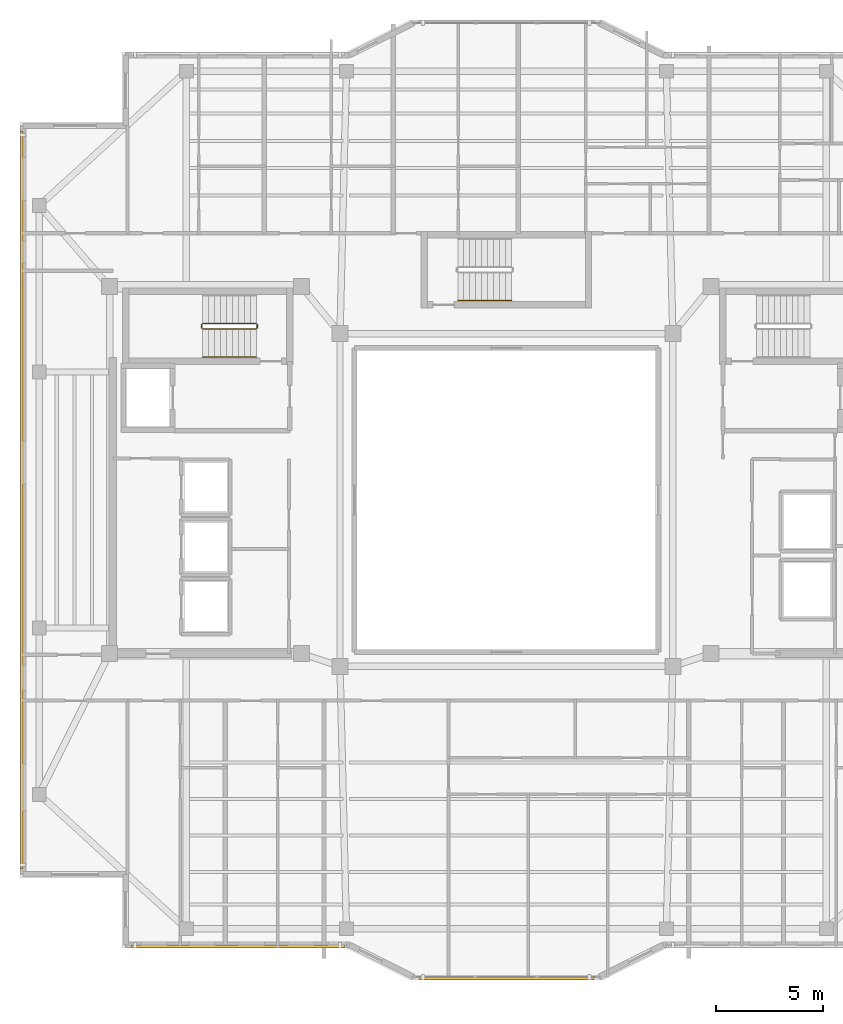
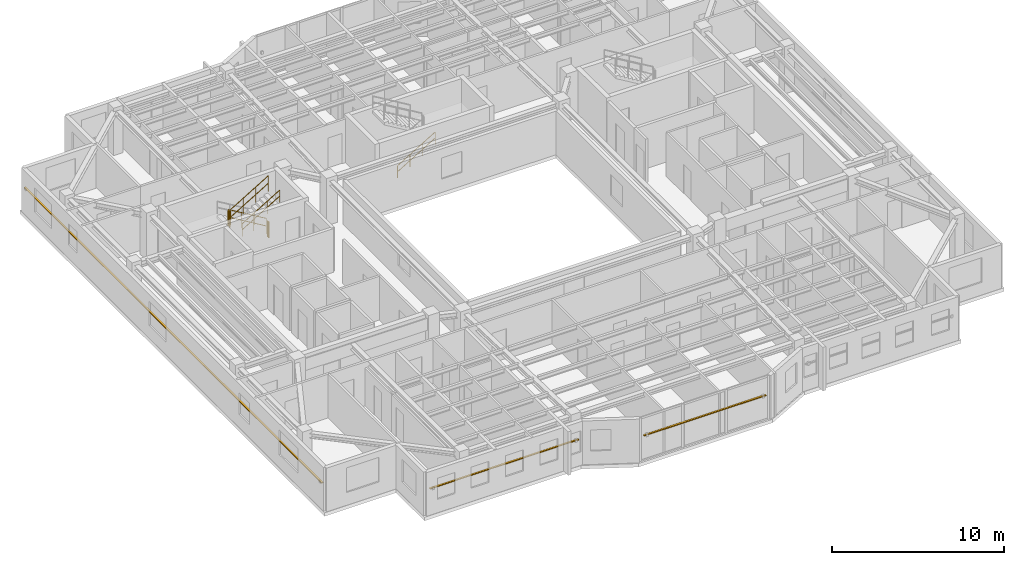
# One storey, part 12 of 14: 6 railings, 3 shading devices.
"""IFC4 building model written with IfcOpenShell, lengths in metres."""

import ifcopenshell
import ifcopenshell.guid

model = None  # the IFC model being written
_history = None  # IfcOwnerHistory: only IFC2X3 demands one
_inside = {}  # id of a spatial element -> (the spatial element, [elements in it])
_under = {}  # id of a project, library or spatial element -> (it, [spatial elements below it])
_declared = {}  # id of a project -> (the project, [libraries it declares])
_typed = {}  # id of a type object -> (the type object, [elements of that type])
_made_of = {}  # id of a material, layer set ... -> (it, [elements and type objects made of it])


def new_model(schema):
    """Start an empty IFC model of exactly this schema.

    Asked for "IFC4X3", IfcOpenShell would pick the latest addendum, in which some entities
    have other attributes; the version numbers below select the first issue.
    IFC2X3 requires an IfcOwnerHistory on every rooted entity: one is made here for all.
    """
    global model, _history
    if schema == "IFC4X3":
        model = ifcopenshell.file(schema_version=(4, 3, 0, 0))
    else:
        model = ifcopenshell.file(schema=schema)
    _inside.clear()
    _under.clear()
    _declared.clear()
    _typed.clear()
    _made_of.clear()
    _history = None
    if model.schema == "IFC2X3":
        org = make("IfcOrganization", Name="unknown")
        user = make(
            "IfcPersonAndOrganization",
            ThePerson=make("IfcPerson", FamilyName="unknown"),
            TheOrganization=org,
        )
        app = make(
            "IfcApplication",
            ApplicationDeveloper=org,
            Version="unknown",
            ApplicationFullName="unknown",
            ApplicationIdentifier="unknown",
        )
        _history = make(
            "IfcOwnerHistory",
            OwningUser=user,
            OwningApplication=app,
            ChangeAction="ADDED",
            CreationDate=0,
        )
    return model


def make(cls, **values):
    """One entity of the class cls with the attributes given. An attribute that is None is left unset."""
    return model.create_entity(
        cls, **{name: value for name, value in values.items() if value is not None}
    )


def rooted(cls, **values):
    """An entity with a GlobalId (a new one), such as an element, a storey or a relation."""
    return make(cls, GlobalId=ifcopenshell.guid.new(), OwnerHistory=_history, **values)


def si_unit(unit_type, name, prefix=None):
    """IfcSIUnit, for example si_unit("LENGTHUNIT", "METRE", prefix="MILLI")."""
    return make("IfcSIUnit", UnitType=unit_type, Prefix=prefix, Name=name)


def assignment(units):
    """IfcUnitAssignment: the units of a project."""
    return None if units is None else make("IfcUnitAssignment", Units=units)


def point(xyz):
    """IfcCartesianPoint."""
    return None if xyz is None else make("IfcCartesianPoint", Coordinates=xyz)


def direction(xyz):
    """IfcDirection."""
    return None if xyz is None else make("IfcDirection", DirectionRatios=xyz)


def frame(location, z_axis=None, x_axis=None):
    """IfcAxis2Placement3D, a coordinate frame: its origin and axes. An axis left out is left unset."""
    return make(
        "IfcAxis2Placement3D",
        Location=point(location),
        Axis=direction(z_axis),
        RefDirection=direction(x_axis),
    )


def frame_2d(location, x_axis=None):
    """IfcAxis2Placement2D, a coordinate frame in the plane: its origin and x axis."""
    return make(
        "IfcAxis2Placement2D", Location=point(location), RefDirection=direction(x_axis)
    )


def origin():
    """The frame at (0, 0, 0) with its axes left unset."""
    return frame((0.0, 0.0, 0.0))


def origin_2d():
    """The frame at (0, 0) in the plane with its x axis left unset."""
    return frame_2d((0.0, 0.0))


def place(relative_to, where):
    """IfcLocalPlacement: puts the frame where relative to a parent placement (None: the world)."""
    return make(
        "IfcLocalPlacement", PlacementRelTo=relative_to, RelativePlacement=where
    )


def context(
    kind, dimensions, precision=None, world=None, true_north=None, identifier=None
):
    """IfcGeometricRepresentationContext, for example the 3D "Model" context."""
    return make(
        "IfcGeometricRepresentationContext",
        ContextIdentifier=identifier,
        ContextType=kind,
        CoordinateSpaceDimension=dimensions,
        Precision=precision,
        WorldCoordinateSystem=world,
        TrueNorth=true_north,
    )


def subcontext(parent, identifier, kind, view, scale=None):
    """IfcGeometricRepresentationSubContext, for example "Body" below "Model"."""
    return make(
        "IfcGeometricRepresentationSubContext",
        ContextIdentifier=identifier,
        ContextType=kind,
        ParentContext=parent,
        TargetScale=scale,
        TargetView=view,
    )


def project(units=None, contexts=None):
    """IfcProject with its units and contexts."""
    return rooted(
        "IfcProject",
        Name="project",
        RepresentationContexts=contexts,
        UnitsInContext=assignment(units),
    )


def spatial(cls, under=None, at=None, **own):
    """A site, building, storey or space (cls), placed at a placement, below another one or the project."""
    s = rooted(cls, ObjectPlacement=at, **own)
    if under is not None:
        _under.setdefault(under.id(), (under, []))[1].append(s)
    return s


def profile(cls, at=None, kind="AREA", **sizes):
    """A parametric profile (cls). Its sizes go by their IFC names, for example OverallWidth=200.0."""
    return make(cls, ProfileType=kind, Position=at, **sizes)


def rectangle(**sizes):
    """IfcRectangleProfileDef."""
    return profile("IfcRectangleProfileDef", **sizes)


def circle(**sizes):
    """IfcCircleProfileDef."""
    return profile("IfcCircleProfileDef", **sizes)


def extrude(swept, where, along, depth):
    """IfcExtrudedAreaSolid: the profile swept, set in the frame where, extruded along a direction by depth."""
    return make(
        "IfcExtrudedAreaSolid",
        SweptArea=swept,
        Position=where,
        ExtrudedDirection=direction(along),
        Depth=depth,
    )


def shape(context_of_items, identifier, shape_type, items):
    """IfcShapeRepresentation: the items that make up one representation, for example the "Body"."""
    return make(
        "IfcShapeRepresentation",
        ContextOfItems=context_of_items,
        RepresentationIdentifier=identifier,
        RepresentationType=shape_type,
        Items=items,
    )


def material(Name=None, Category=None):
    """IfcMaterial."""
    return make("IfcMaterial", Name=Name, Category=Category)


def material_profile(
    of_material, cross_section, Name=None, Category=None, Priority=None
):
    """IfcMaterialProfile: a cross section and its material."""
    return make(
        "IfcMaterialProfile",
        Name=Name,
        Material=of_material,
        Profile=cross_section,
        Priority=Priority,
        Category=Category,
    )


def profile_set(profiles, Name=None, composite=None):
    """IfcMaterialProfileSet."""
    return make(
        "IfcMaterialProfileSet",
        Name=Name,
        MaterialProfiles=profiles,
        CompositeProfile=composite,
    )


def made_of(thing, what):
    """Note that an element or type object is made of a material, layer set ...; save() writes the relation."""
    if what is not None:
        _made_of.setdefault(what.id(), (what, []))[1].append(thing)
    return thing


def type_object(cls, material=None, **own):
    """A type object (cls), such as IfcWallType, which elements share."""
    return made_of(rooted(cls, **own), material)


def element(
    cls,
    number,
    at=None,
    inside=None,
    cuts=None,
    type_object=None,
    material=None,
    context=None,
    identifier="Body",
    shape_type=None,
    held_by="IfcProductDefinitionShape",
    body=None,
    shapes=None,
    **own,
):
    """One element of the class cls, such as IfcWall. Its Tag is "e" and its number.

    at: its placement. inside: the storey or other place that contains it. cuts: it is an
    opening in that element (IfcRelVoidsElement). A single representation is given by context,
    identifier, shape_type and body (its items); several are given by shapes. held_by: the class
    of the entity that holds the representations. save() writes the other relations.
    """
    e = rooted(cls, Tag="e%d" % number, ObjectPlacement=at, **own)
    if body is not None:
        shapes = [shape(context, identifier, shape_type, body)]
    if shapes is not None:
        e.Representation = make(held_by, Representations=shapes)
    if inside is not None:
        _inside.setdefault(inside.id(), (inside, []))[1].append(e)
    if cuts is not None:
        rooted(
            "IfcRelVoidsElement", RelatingBuildingElement=cuts, RelatedOpeningElement=e
        )
    if type_object is not None:
        _typed.setdefault(type_object.id(), (type_object, []))[1].append(e)
    return made_of(e, material)


def aggregate(whole, parts):
    """IfcRelAggregates: a whole, such as a stair, and the parts it consists of."""
    return rooted("IfcRelAggregates", RelatingObject=whole, RelatedObjects=parts)


def save(model, path):
    """Write the relations noted so far, then the file.

    IfcRelAggregates (storeys below a building ...), IfcRelContainedInSpatialStructure (elements
    in a storey), IfcRelDefinesByType, IfcRelAssociatesMaterial and IfcRelDeclares: one each for
    every whole, place, type object, material and project.
    """
    for whole, parts in _under.values():
        aggregate(whole, parts)
    for where, things in _inside.values():
        rooted(
            "IfcRelContainedInSpatialStructure",
            RelatedElements=things,
            RelatingStructure=where,
        )
    for kind, things in _typed.values():
        rooted("IfcRelDefinesByType", RelatedObjects=things, RelatingType=kind)
    for what, things in _made_of.values():
        rooted("IfcRelAssociatesMaterial", RelatedObjects=things, RelatingMaterial=what)
    for by, libraries in _declared.values():
        rooted("IfcRelDeclares", RelatingContext=by, RelatedDefinitions=libraries)
    model.write(path)


model = new_model("IFC4")

# Units and contexts
model_context = context("Model", 3, precision=1e-05, world=origin(), true_north=direction((0.0, 1.0)))
body_context = subcontext(model_context, "Body", "Model", "MODEL_VIEW")
ifc_project = project(units=[si_unit("LENGTHUNIT", "METRE"), si_unit("AREAUNIT", "SQUARE_METRE"), si_unit("VOLUMEUNIT", "CUBIC_METRE"), si_unit("PLANEANGLEUNIT", "RADIAN"), si_unit("MASSUNIT", "GRAM", prefix="KILO")], contexts=[model_context])

# Site, building, storey
site_placement = place(None, origin())
site = spatial("IfcSite", under=ifc_project, at=site_placement, CompositionType="ELEMENT")
building_placement = place(site_placement, origin())
building = spatial("IfcBuilding", under=site, at=building_placement, Name="Tarnavaz Court Tower", CompositionType="ELEMENT")
storey_placement = place(building_placement, frame((0.0, 0.0, 261.60009765625)))
storey = spatial("IfcBuildingStorey", under=building, at=storey_placement, Name="L71", CompositionType="ELEMENT", Elevation=261.60009765625)

# Railings
ifc_material_1 = material(Name="Brushed Stainless Steel", Category="steel")
railing_type_1 = type_object("IfcRailingType", Name="RL-HANDRAIL-900", PredefinedType="HANDRAIL", material=ifc_material_1)
railing_1_placement = place(storey_placement, frame((-14.239990234375, 6.699951171875, 1.84228515625)))
element("IfcRailing", 1, at=railing_1_placement, inside=storey, type_object=railing_type_1, Name="L71 ST-W1 stair handrail 2", PredefinedType="HANDRAIL", context=body_context, shape_type="SweptSolid", body=[
    extrude(circle(Radius=0.02392578125, at=origin_2d()), frame((0.0, 0.0, 0.8759765625), z_axis=(0.858159760407, 0.0, 0.513382728203), x_axis=(0.0, 1.0, 0.0)), (0.0, 0.0, 1.0), 2.9365234375),
    extrude(circle(Radius=0.02392578125, at=origin_2d()), frame((0.0, 0.0, 0.449951171875), z_axis=(0.858159760407, 0.0, 0.513382728203), x_axis=(0.0, 1.0, 0.0)), (0.0, 0.0, 1.0), 2.9365234375),
    extrude(circle(Radius=0.02099609375, at=origin_2d()), origin(), (0.0, 0.0, 1.0), 0.851806640625),
    extrude(circle(Radius=0.02099609375, at=origin_2d()), frame((0.840087890625, 0.0, 0.50244140625)), (0.0, 0.0, 1.0), 0.851806640625),
    extrude(circle(Radius=0.02099609375, at=origin_2d()), frame((1.679931640625, 0.0, 1.005126953125)), (0.0, 0.0, 1.0), 0.851806640625),
    extrude(circle(Radius=0.02099609375, at=origin_2d()), frame((2.52001953125, 0.0, 1.507568359375)), (0.0, 0.0, 1.0), 0.851806640625),
])
railing_2_placement = place(storey_placement, frame((-2.280029296875, 9.35009765625, 0.16748046875)))
element("IfcRailing", 2, at=railing_2_placement, inside=storey, type_object=railing_type_1, Name="L71 ST-N1 stair handrail 1", PredefinedType="HANDRAIL", context=body_context, shape_type="SweptSolid", body=[
    extrude(circle(Radius=0.02392578125, at=origin_2d()), frame((0.0, 0.0, 0.8759765625), z_axis=(0.858196387827, 0.0, 0.513321497621), x_axis=(0.0, 1.0, 0.0)), (0.0, 0.0, 1.0), 2.9365234375),
    extrude(circle(Radius=0.02392578125, at=origin_2d()), frame((0.0, 0.0, 0.449951171875), z_axis=(0.858196387827, 0.0, 0.513321497621), x_axis=(0.0, 1.0, 0.0)), (0.0, 0.0, 1.0), 2.9365234375),
    extrude(circle(Radius=0.02099609375, at=origin_2d()), origin(), (0.0, 0.0, 1.0), 0.851806640625),
    extrude(circle(Radius=0.02099609375, at=origin_2d()), frame((0.840087890625, 0.0, 0.50244140625)), (0.0, 0.0, 1.0), 0.851806640625),
    extrude(circle(Radius=0.02099609375, at=origin_2d()), frame((1.679931640625, 0.0, 1.0048828125)), (0.0, 0.0, 1.0), 0.851806640625),
    extrude(circle(Radius=0.02099609375, at=origin_2d()), frame((2.52001953125, 0.0, 1.50732421875)), (0.0, 0.0, 1.0), 0.851806640625),
])
ifc_material_2 = material(Name="Galvanized Painted Tubular Steel", Category="steel")
railing_type_2 = type_object("IfcRailingType", Name="RL-STGUARD-1120", PredefinedType="GUARDRAIL", material=ifc_material_2)
railing_3_placement = place(storey_placement, frame((-11.719970703125, 8.27001953125, 0.16748046875)))
element("IfcRailing", 3, at=railing_3_placement, inside=storey, type_object=railing_type_2, Name="L71 ST-W1 stair guard 1", PredefinedType="GUARDRAIL", context=body_context, shape_type="SweptSolid", body=[
    extrude(circle(Radius=0.02392578125, at=origin_2d()), frame((0.0, 0.0, 1.09619140625), z_axis=(-0.858196387827, 0.0, 0.513321497621), x_axis=(0.0, -1.0, 0.0)), (0.0, 0.0, 1.0), 2.9365234375),
    extrude(circle(Radius=0.02392578125, at=origin_2d()), frame((0.0, 0.0, 0.56005859375), z_axis=(-0.858196387827, 0.0, 0.513321497621), x_axis=(0.0, -1.0, 0.0)), (0.0, 0.0, 1.0), 2.9365234375),
    extrude(circle(Radius=0.02099609375, at=origin_2d()), origin(), (0.0, 0.0, 1.0), 1.072021484375),
    extrude(circle(Radius=0.02099609375, at=origin_2d()), frame((-0.840087890625, 0.0, 0.50244140625)), (0.0, 0.0, 1.0), 1.072021484375),
    extrude(circle(Radius=0.02099609375, at=origin_2d()), frame((-1.679931640625, 0.0, 1.0048828125)), (0.0, 0.0, 1.0), 1.072021484375),
    extrude(circle(Radius=0.02099609375, at=origin_2d()), frame((-2.52001953125, 0.0, 1.50732421875)), (0.0, 0.0, 1.0), 1.072021484375),
])
railing_4_placement = place(storey_placement, frame((-14.2900390625, 8.219970703125, 1.6748046875)))
element("IfcRailing", 4, at=railing_4_placement, inside=storey, type_object=railing_type_2, Name="L71 ST-W1 stair guard 2", PredefinedType="GUARDRAIL", context=body_context, shape_type="SweptSolid", body=[
    extrude(circle(Radius=0.02392578125, at=origin_2d()), frame((0.0, 0.0, 1.09619140625), z_axis=(0.0, -1.0, 0.0), x_axis=(1.0, 0.0, 0.0)), (0.0, 0.0, 1.0), 0.14990234375),
    extrude(circle(Radius=0.02392578125, at=origin_2d()), frame((0.0, 0.0, 0.56005859375), z_axis=(0.0, -1.0, 0.0), x_axis=(1.0, 0.0, 0.0)), (0.0, 0.0, 1.0), 0.14990234375),
    extrude(circle(Radius=0.02099609375, at=origin_2d()), origin(), (0.0, 0.0, 1.0), 1.072021484375),
    extrude(circle(Radius=0.02099609375, at=origin_2d()), frame((0.0, -0.14990234375, 0.0)), (0.0, 0.0, 1.0), 1.072021484375),
])
railing_5_placement = place(storey_placement, frame((-14.239990234375, 8.02001953125, 1.84228515625)))
element("IfcRailing", 5, at=railing_5_placement, inside=storey, type_object=railing_type_2, Name="L71 ST-W1 stair guard 3", PredefinedType="GUARDRAIL", context=body_context, shape_type="SweptSolid", body=[
    extrude(circle(Radius=0.02392578125, at=origin_2d()), frame((0.0, 0.0, 1.09619140625), z_axis=(0.858159760407, 0.0, 0.513382728203), x_axis=(0.0, 1.0, 0.0)), (0.0, 0.0, 1.0), 2.9365234375),
    extrude(circle(Radius=0.02392578125, at=origin_2d()), frame((0.0, 0.0, 0.56005859375), z_axis=(0.858159760407, 0.0, 0.513382728203), x_axis=(0.0, 1.0, 0.0)), (0.0, 0.0, 1.0), 2.9365234375),
    extrude(circle(Radius=0.02099609375, at=origin_2d()), origin(), (0.0, 0.0, 1.0), 1.072021484375),
    extrude(circle(Radius=0.02099609375, at=origin_2d()), frame((0.840087890625, 0.0, 0.50244140625)), (0.0, 0.0, 1.0), 1.072021484375),
    extrude(circle(Radius=0.02099609375, at=origin_2d()), frame((1.679931640625, 0.0, 1.005126953125)), (0.0, 0.0, 1.0), 1.072021484375),
    extrude(circle(Radius=0.02099609375, at=origin_2d()), frame((2.52001953125, 0.0, 1.507568359375)), (0.0, 0.0, 1.0), 1.072021484375),
])
railing_6_placement = place(storey_placement, frame((-11.669921875, 8.219970703125, 0.0)))
element("IfcRailing", 6, at=railing_6_placement, inside=storey, type_object=railing_type_2, Name="L71 ST-W1 stair guard 4", PredefinedType="GUARDRAIL", context=body_context, shape_type="SweptSolid", body=[
    extrude(circle(Radius=0.02392578125, at=origin_2d()), frame((0.0, 0.0, 1.09619140625), z_axis=(0.0, -1.0, 0.0), x_axis=(1.0, 0.0, 0.0)), (0.0, 0.0, 1.0), 0.14990234375),
    extrude(circle(Radius=0.02392578125, at=origin_2d()), frame((0.0, 0.0, 0.56005859375), z_axis=(0.0, -1.0, 0.0), x_axis=(1.0, 0.0, 0.0)), (0.0, 0.0, 1.0), 0.14990234375),
    extrude(circle(Radius=0.02099609375, at=origin_2d()), origin(), (0.0, 0.0, 1.0), 1.072021484375),
    extrude(circle(Radius=0.02099609375, at=origin_2d()), frame((0.0, -0.14990234375, 0.0)), (0.0, 0.0, 1.0), 1.072021484375),
])

# Shading devices
ifc_material_3 = material(Name="Kiln-Fired Khorasan Terracotta Ceramic", Category="masonry")
ifc_material_profile = material_profile(ifc_material_3, rectangle(XDim=0.1201171875, YDim=0.06005859375, at=origin_2d()), Name="TC BAGUETTE 120X60")
ifc_profile_set = profile_set([ifc_material_profile], Name="Kiln-Fired Khorasan Terracotta Ceramic")
shading_device_type = type_object("IfcShadingDeviceType", Name="SD-BAG-120", PredefinedType="USERDEFINED", material=ifc_profile_set)
shading_device_1_placement = place(storey_placement, frame((-22.7099609375, -17.300048828125, 1.849853515625), z_axis=(0.0, 1.0, 0.0), x_axis=(-1.0, 0.0, 0.0)))
element("IfcShadingDevice", 7, at=shading_device_1_placement, inside=storey, type_object=shading_device_type, Name="L71 Terracotta Baguette Screen FBG02", ObjectType="BAGUETTE", PredefinedType="USERDEFINED", context=body_context, shape_type="SweptSolid", body=[
    extrude(rectangle(XDim=0.1201171875, YDim=0.06005859375, at=origin_2d()), origin(), (0.0, 0.0, 1.0), 34.60009765625),
])
shading_device_2_placement = place(storey_placement, frame((4.10009765625, -22.409912109375, 1.7998046875), z_axis=(-1.0, 0.0, 0.0), x_axis=(0.0, -1.0, 0.0)))
element("IfcShadingDevice", 8, at=shading_device_2_placement, inside=storey, type_object=shading_device_type, Name="L71 Terracotta Baguette Screen PBG17", ObjectType="BAGUETTE", PredefinedType="USERDEFINED", context=body_context, shape_type="SweptSolid", body=[
    extrude(rectangle(XDim=0.1201171875, YDim=0.06005859375, at=origin_2d()), origin(), (0.0, 0.0, 1.0), 8.2001953125),
])
shading_device_3_placement = place(storey_placement, frame((-7.60009765625, -20.909912109375, 1.849853515625), z_axis=(-1.0, 0.0, 0.0), x_axis=(0.0, -1.0, 0.0)))
element("IfcShadingDevice", 9, at=shading_device_3_placement, inside=storey, type_object=shading_device_type, Name="L71 Terracotta Baguette Screen FBG19", ObjectType="BAGUETTE", PredefinedType="USERDEFINED", context=body_context, shape_type="SweptSolid", body=[
    extrude(rectangle(XDim=0.1201171875, YDim=0.06005859375, at=origin_2d()), origin(), (0.0, 0.0, 1.0), 10.0),
])

save(model, "model.ifc")
